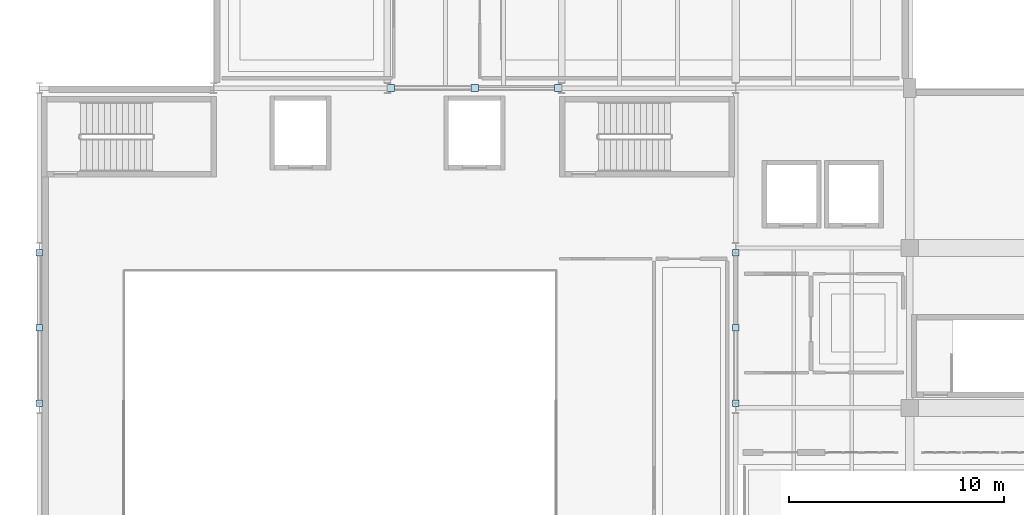
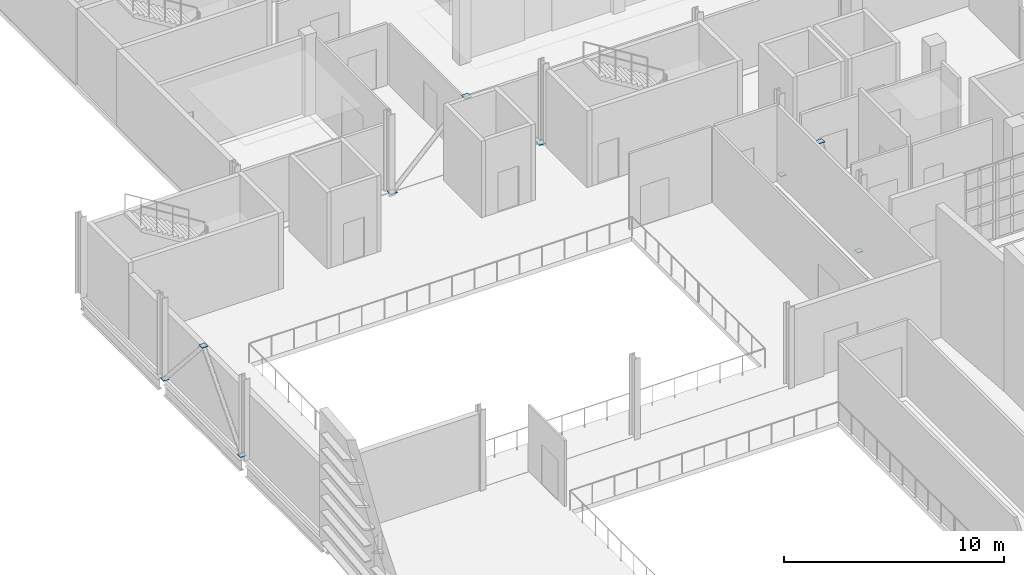
# One storey, part 42 of 56: 9 plates.
"""IFC4 building model written with IfcOpenShell, lengths in metres."""

from ifc_helpers import new_model, si_unit, direction, frame, origin, origin_2d, place, context, subcontext, project, spatial, rectangle, extrude, material, layer, layer_set, type_object, element, save


model = new_model("IFC4")

# Units and contexts
model_context = context("Model", 3, precision=1e-05, world=origin(), true_north=direction((0.0, 1.0)))
body_context = subcontext(model_context, "Body", "Model", "MODEL_VIEW")
ifc_project = project(units=[si_unit("LENGTHUNIT", "METRE"), si_unit("AREAUNIT", "SQUARE_METRE"), si_unit("VOLUMEUNIT", "CUBIC_METRE"), si_unit("PLANEANGLEUNIT", "RADIAN"), si_unit("MASSUNIT", "GRAM", prefix="KILO")], contexts=[model_context])

# Site, building, storey
site_placement = place(None, origin())
site = spatial("IfcSite", under=ifc_project, at=site_placement, CompositionType="ELEMENT")
building_placement = place(site_placement, origin())
building = spatial("IfcBuilding", under=site, at=building_placement, Name="Kaelora Sail Theatre", CompositionType="ELEMENT")
storey_placement = place(building_placement, frame((0.0, 0.0, 14.699951171875)))
storey = spatial("IfcBuildingStorey", under=building, at=storey_placement, Name="L03", CompositionType="ELEMENT", Elevation=14.699951171875)

# Plates
ifc_material = material(Name="Steel S355", Category="steel")
ifc_layer = layer(ifc_material, 0.02587890625)
ifc_layer_set = layer_set([ifc_layer], Name="Steel S355")
plate_type = type_object("IfcPlateType", Name="STR-PL-EP-26", PredefinedType="SHEET", material=ifc_layer_set)
for number, where, z_axis, x_axis, name in (
    (1, (25.800048828125, 68.68212890625, -0.001708984375), (0.0, 0.0, 1.0), (1.0, 0.0, 0.0), "Fly Tower chevron brace L03 WM1 end cap plate A"),
    (2, (25.800048828125, 72.187744140625, 3.94091796875), (0.0, 0.0, 1.0), (1.0, 0.0, 0.0), "Fly Tower chevron brace L03 WM1 end cap plate B"),
    (3, (25.800048828125, 75.677734375, -0.001708984375), (0.0, 0.0, 1.0), (1.0, 0.0, 0.0), "Fly Tower chevron brace L03 WM2 end cap plate A"),
    (4, (58.199951171875, 68.68212890625, -0.001708984375), (0.0, 0.0, 1.0), (1.0, 0.0, 0.0), "Fly Tower chevron brace L03 EM1 end cap plate A"),
    (5, (58.199951171875, 72.187744140625, 3.94091796875), (0.0, 0.0, 1.0), (1.0, 0.0, 0.0), "Fly Tower chevron brace L03 EM1 end cap plate B"),
    (6, (58.199951171875, 75.677734375, -0.001708984375), (0.0, 0.0, 1.0), (1.0, 0.0, 0.0), "Fly Tower chevron brace L03 EM2 end cap plate A"),
):
    element("IfcPlate", number, at=place(storey_placement, frame(where, z_axis=z_axis, x_axis=x_axis)), inside=storey, type_object=plate_type, Name=name, PredefinedType="SHEET", context=body_context, shape_type="SweptSolid", body=[
        extrude(rectangle(XDim=0.300048828125, YDim=0.300048828125, at=origin_2d()), origin(), (0.0, 0.0, 1.0), 0.02587890625),
    ])
for number, where, z_axis, x_axis, name in (
    (7, (42.15185546875, 83.340087890625, -0.001220703125), (0.0, 0.0, 1.0), (1.0, 0.0, 0.0), "Fly Tower north chevron brace L03 N3-1 end cap plate A"),
    (8, (46.058349609375, 83.340087890625, 3.9404296875), (0.0, 0.0, 1.0), (1.0, 0.0, 0.0), "Fly Tower north chevron brace L03 N3-1 end cap plate B"),
    (9, (49.9482421875, 83.340087890625, -0.001220703125), (0.0, 0.0, 1.0), (1.0, 0.0, 0.0), "Fly Tower north chevron brace L03 N3-2 end cap plate A"),
):
    element("IfcPlate", number, at=place(storey_placement, frame(where, z_axis=z_axis, x_axis=x_axis)), inside=storey, type_object=plate_type, Name=name, PredefinedType="SHEET", context=body_context, shape_type="SweptSolid", body=[
        extrude(rectangle(XDim=0.340087890625, YDim=0.340087890625, at=origin_2d()), origin(), (0.0, 0.0, 1.0), 0.02587890625),
    ])

save(model, "model.ifc")
